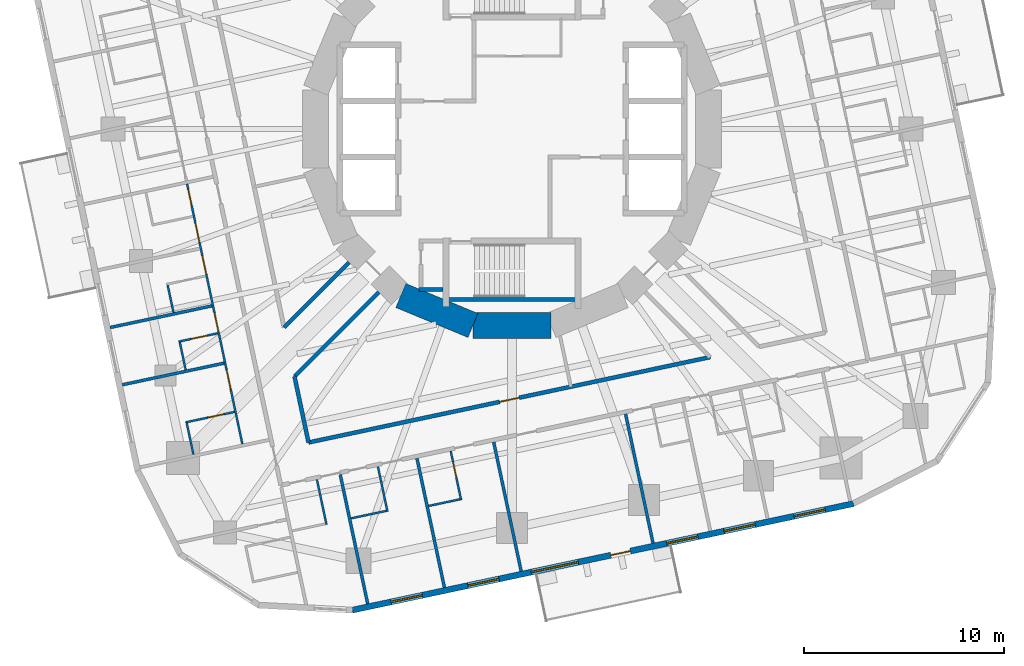
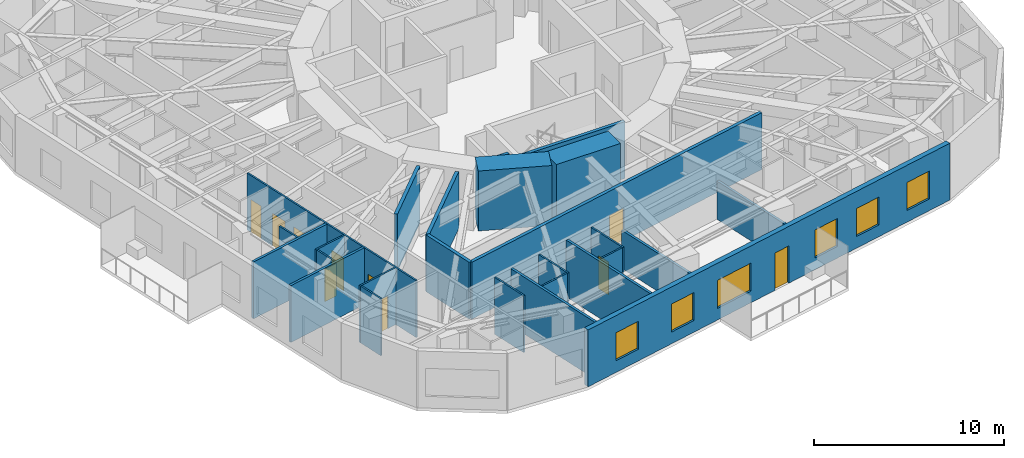
# One storey, part 4 of 13: 26 walls, 10 doors, 6 windows, 16 openings.
"""IFC4 building model written with IfcOpenShell, lengths in metres."""

from ifc_helpers import new_model, si_unit, direction, frame, frame_2d, origin, place, context, subcontext, project, spatial, rectangle, extrude, material, layer, layer_set, type_object, element, fill, save


model = new_model("IFC4")

# Units and contexts
model_context = context("Model", 3, precision=1e-05, world=origin(), true_north=direction((0.0, 1.0)))
body_context = subcontext(model_context, "Body", "Model", "MODEL_VIEW")
ifc_project = project(units=[si_unit("LENGTHUNIT", "METRE"), si_unit("AREAUNIT", "SQUARE_METRE"), si_unit("VOLUMEUNIT", "CUBIC_METRE"), si_unit("PLANEANGLEUNIT", "RADIAN"), si_unit("MASSUNIT", "GRAM", prefix="KILO")], contexts=[model_context])

# Site, building, storey
site_placement = place(None, origin())
site = spatial("IfcSite", under=ifc_project, at=site_placement, CompositionType="ELEMENT")
building_placement = place(site_placement, origin())
building = spatial("IfcBuilding", under=site, at=building_placement, Name="Nakasero Lantern House", CompositionType="ELEMENT")
storey_placement = place(building_placement, frame((0.0, 0.0, 131.949951171875)))
storey = spatial("IfcBuildingStorey", under=building, at=storey_placement, Name="L32", CompositionType="ELEMENT", Elevation=131.949951171875)

# Wall, openings, doors
ifc_material_1 = material(Name="Blockwork", Category="masonry")
ifc_layer_1 = layer(ifc_material_1, 0.10009765625)
ifc_layer_set_1 = layer_set([ifc_layer_1], Name="Cluster hall wall 100")
wall_type_1 = type_object("IfcWallType", Name="Cluster hall wall 100", PredefinedType="PARTITIONING", material=ifc_layer_set_1)
wall_1_placement = place(storey_placement, frame((-16.236328125, -2.734375, 0.0), z_axis=(0.0, 0.0, 1.0), x_axis=(0.207922912411, -0.978145215443, 0.0)))
wall_1 = element("IfcWall", 1, at=wall_1_placement, inside=storey, type_object=wall_type_1, Name="Cluster hall wall L32 HW2-1", PredefinedType="PARTITIONING", context=body_context, shape_type="SweptSolid", body=[
    extrude(rectangle(XDim=13.28955078125, YDim=0.10009765625, at=frame_2d((6.644775390625, 0.0))), origin(), (0.0, 0.0, 1.0), 3.650146484375),
])
opening_1_placement = place(wall_1_placement, frame((1.99365234375, 0.0, 0.0)))
opening_1 = element("IfcOpeningElement", 2, at=opening_1_placement, cuts=wall_1, Name="Opening D03", PredefinedType="OPENING", context=body_context, shape_type="SweptSolid", body=[
    extrude(rectangle(XDim=1.0, YDim=2.10009765625, at=frame_2d((0.5, 1.050048828125))), frame((0.0, 0.070068359375, 0.0), z_axis=(0.0, -1.0, 0.0), x_axis=(1.0, 0.0, 0.0)), (0.0, 0.0, 1.0), 0.14013671875),
])
opening_2_placement = place(wall_1_placement, frame((0.300048828125, 0.0, 0.0)))
opening_2 = element("IfcOpeningElement", 3, at=opening_2_placement, cuts=wall_1, Name="Opening D02", PredefinedType="OPENING", context=body_context, shape_type="SweptSolid", body=[
    extrude(rectangle(XDim=0.800048828125, YDim=2.10009765625, at=frame_2d((0.39990234375, 1.050048828125))), frame((0.0, 0.070068359375, 0.0), z_axis=(0.0, -1.0, 0.0), x_axis=(1.0, 0.0, 0.0)), (0.0, 0.0, 1.0), 0.14013671875),
])
opening_3_placement = place(wall_1_placement, frame((3.668701171875, 0.0, 0.0)))
opening_3 = element("IfcOpeningElement", 4, at=opening_3_placement, cuts=wall_1, Name="Opening D01", PredefinedType="OPENING", context=body_context, shape_type="SweptSolid", body=[
    extrude(rectangle(XDim=0.949951171875, YDim=2.10009765625, at=frame_2d((0.47509765625, 1.050048828125))), frame((0.0, 0.070068359375, 0.0), z_axis=(0.0, -1.0, 0.0), x_axis=(1.0, 0.0, 0.0)), (0.0, 0.0, 1.0), 0.14013671875),
])
opening_4_placement = place(wall_1_placement, frame((6.594970703125, 0.0, 0.0)))
opening_4 = element("IfcOpeningElement", 5, at=opening_4_placement, cuts=wall_1, Name="Opening D01", PredefinedType="OPENING", context=body_context, shape_type="SweptSolid", body=[
    extrude(rectangle(XDim=0.949951171875, YDim=2.10009765625, at=frame_2d((0.47509765625, 1.050048828125))), frame((0.0, 0.070068359375, 0.0), z_axis=(0.0, -1.0, 0.0), x_axis=(1.0, 0.0, 0.0)), (0.0, 0.0, 1.0), 0.14013671875),
])
opening_5_placement = place(wall_1_placement, frame((9.521484375, 0.0, 0.0)))
opening_5 = element("IfcOpeningElement", 6, at=opening_5_placement, cuts=wall_1, Name="Opening D01", PredefinedType="OPENING", context=body_context, shape_type="SweptSolid", body=[
    extrude(rectangle(XDim=0.949951171875, YDim=2.10009765625, at=frame_2d((0.47509765625, 1.050048828125))), frame((0.0, 0.070068359375, 0.0), z_axis=(0.0, -1.0, 0.0), x_axis=(1.0, 0.0, 0.0)), (0.0, 0.0, 1.0), 0.14013671875),
])
ifc_material_2 = material(Name="Timber C24", Category="wood")
door_type_1 = type_object("IfcDoorType", Name="Bedroom door FD30S 950", OperationType="SINGLE_SWING_LEFT", PredefinedType="DOOR", material=ifc_material_2)
door_1_placement = place(opening_3_placement, origin())
door_1 = element("IfcDoor", 7, at=door_1_placement, inside=storey, type_object=door_type_1, Name="Door L32 D2-05", OperationType="SINGLE_SWING_LEFT", OverallHeight=2.10009765625, OverallWidth=0.949951171875, PredefinedType="DOOR", context=body_context, shape_type="SweptSolid", body=[
    extrude(rectangle(XDim=0.949951171875, YDim=2.10009765625, at=frame_2d((0.47509765625, 1.050048828125))), frame((0.0, 0.02490234375, 0.0), z_axis=(0.0, -1.0, 0.0), x_axis=(1.0, 0.0, 0.0)), (0.0, 0.0, 1.0), 0.050048828125),
])
fill(opening_3, door_1)
door_2_placement = place(opening_4_placement, origin())
door_2 = element("IfcDoor", 8, at=door_2_placement, inside=storey, type_object=door_type_1, Name="Door L32 D2-06", OperationType="SINGLE_SWING_RIGHT", OverallHeight=2.10009765625, OverallWidth=0.949951171875, PredefinedType="DOOR", context=body_context, shape_type="SweptSolid", body=[
    extrude(rectangle(XDim=0.949951171875, YDim=2.10009765625, at=frame_2d((0.47509765625, 1.050048828125))), frame((0.0, 0.02490234375, 0.0), z_axis=(0.0, -1.0, 0.0), x_axis=(1.0, 0.0, 0.0)), (0.0, 0.0, 1.0), 0.050048828125),
])
fill(opening_4, door_2)
door_3_placement = place(opening_5_placement, origin())
door_3 = element("IfcDoor", 9, at=door_3_placement, inside=storey, type_object=door_type_1, Name="Door L32 D2-07", OperationType="SINGLE_SWING_RIGHT", OverallHeight=2.10009765625, OverallWidth=0.949951171875, PredefinedType="DOOR", context=body_context, shape_type="SweptSolid", body=[
    extrude(rectangle(XDim=0.949951171875, YDim=2.10009765625, at=frame_2d((0.47509765625, 1.050048828125))), frame((0.0, 0.02490234375, 0.0), z_axis=(0.0, -1.0, 0.0), x_axis=(1.0, 0.0, 0.0)), (0.0, 0.0, 1.0), 0.050048828125),
])
fill(opening_5, door_3)
ifc_material_3 = material(Name="Timber C24", Category="wood")
door_type_2 = type_object("IfcDoorType", Name="En-suite door 800", OperationType="SINGLE_SWING_RIGHT", PredefinedType="DOOR", material=ifc_material_3)
door_4_placement = place(opening_2_placement, origin())
door_4 = element("IfcDoor", 10, at=door_4_placement, inside=storey, type_object=door_type_2, Name="Door L32 DSH2-1", OperationType="SINGLE_SWING_LEFT", OverallHeight=2.10009765625, OverallWidth=0.800048828125, PredefinedType="DOOR", context=body_context, shape_type="SweptSolid", body=[
    extrude(rectangle(XDim=0.800048828125, YDim=2.10009765625, at=frame_2d((0.39990234375, 1.050048828125))), frame((0.0, 0.02490234375, 0.0), z_axis=(0.0, -1.0, 0.0), x_axis=(1.0, 0.0, 0.0)), (0.0, 0.0, 1.0), 0.050048828125),
])
fill(opening_2, door_4)
ifc_material_4 = material(Name="Timber C24", Category="wood")
door_type_3 = type_object("IfcDoorType", Name="Lounge door FD30S 1000", OperationType="SINGLE_SWING_LEFT", PredefinedType="DOOR", material=ifc_material_4)
door_5_placement = place(opening_1_placement, origin())
door_5 = element("IfcDoor", 11, at=door_5_placement, inside=storey, type_object=door_type_3, Name="Door L32 DH2-1", OperationType="SINGLE_SWING_LEFT", OverallHeight=2.10009765625, OverallWidth=1.0, PredefinedType="DOOR", context=body_context, shape_type="SweptSolid", body=[
    extrude(rectangle(XDim=1.0, YDim=2.10009765625, at=frame_2d((0.5, 1.050048828125))), frame((0.0, 0.02490234375, 0.0), z_axis=(0.0, -1.0, 0.0), x_axis=(1.0, 0.0, 0.0)), (0.0, 0.0, 1.0), 0.050048828125),
])
fill(opening_1, door_5)

# Walls
ifc_material_5 = material(Name="Concrete C50/60", Category="concrete")
ifc_layer_2 = layer(ifc_material_5, 1.300048828125)
ifc_layer_set_2 = layer_set([ifc_layer_2], Name="Core wall 1300")
wall_type_2 = type_object("IfcWallType", Name="Core wall 1300", PredefinedType="SHEAR", material=ifc_layer_set_2)
for number, where, z_axis, x_axis, name in (
    (12, (-5.5556640625, -8.314697265625, 0.0), (0.0, 0.0, 1.0), (0.923876507187, -0.382690736062, 0.0), "Core wall L32 facet 11"),
    (13, (-1.950927734375, -9.807861328125, 0.0), (0.0, 0.0, 1.0), (1.0, 0.0, 0.0), "Core wall L32 facet 12"),
):
    element("IfcWall", number, at=place(storey_placement, frame(where, z_axis=z_axis, x_axis=x_axis)), inside=storey, type_object=wall_type_2, Name=name, PredefinedType="SHEAR", context=body_context, shape_type="SweptSolid", body=[
        extrude(rectangle(XDim=3.90185546875, YDim=1.300048828125, at=frame_2d((1.950927734375, 0.0))), origin(), (0.0, 0.0, 1.0), 3.85009765625),
    ])
ifc_material_6 = material(Name="Blockwork", Category="masonry")
ifc_layer_3 = layer(ifc_material_6, 0.199951171875)
ifc_layer_set_3 = layer_set([ifc_layer_3], Name="Corridor wall 200")
wall_type_3 = type_object("IfcWallType", Name="Corridor wall 200", PredefinedType="PARTITIONING", material=ifc_layer_set_3)
wall_2_placement = place(storey_placement, frame((-10.868896484375, -12.35400390625, 0.0), z_axis=(0.0, 0.0, 1.0), x_axis=(0.207923627178, -0.978145063506, 0.0)))
element("IfcWall", 14, at=wall_2_placement, inside=storey, type_object=wall_type_3, Name="Corridor wall L32 IW2-1", PredefinedType="PARTITIONING", context=body_context, shape_type="SweptSolid", body=[
    extrude(rectangle(XDim=3.375732421875, YDim=0.199951171875, at=frame_2d((1.68798828125, 0.0))), origin(), (0.0, 0.0, 1.0), 3.650146484375),
])

# Wall, opening, door
wall_3_placement = place(storey_placement, frame((-10.1669921875, -15.656005859375, 0.0), z_axis=(0.0, 0.0, 1.0), x_axis=(0.978147903572, 0.207910266073, 0.0)))
wall_3 = element("IfcWall", 15, at=wall_3_placement, inside=storey, type_object=wall_type_3, Name="Corridor wall L32 IW3-0", PredefinedType="PARTITIONING", context=body_context, shape_type="SweptSolid", body=[
    extrude(rectangle(XDim=20.520263671875, YDim=0.199951171875, at=frame_2d((10.26025390625, 0.0))), origin(), (0.0, 0.0, 1.0), 3.650146484375),
])
opening_6_placement = place(wall_3_placement, frame((9.760009765625, 0.0, 0.0)))
opening_6 = element("IfcOpeningElement", 16, at=opening_6_placement, cuts=wall_3, Name="Opening D07", PredefinedType="OPENING", context=body_context, shape_type="SweptSolid", body=[
    extrude(rectangle(XDim=1.0, YDim=2.10009765625, at=frame_2d((0.5, 1.050048828125))), frame((0.0, 0.119873046875, 0.0), z_axis=(0.0, -1.0, 0.0), x_axis=(1.0, 0.0, 0.0)), (0.0, 0.0, 1.0), 0.239990234375),
])
ifc_material_7 = material(Name="Timber C24", Category="wood")
door_type_4 = type_object("IfcDoorType", Name="Room door FD30S 1000", OperationType="SINGLE_SWING_LEFT", PredefinedType="DOOR", material=ifc_material_7)
door_6_placement = place(opening_6_placement, origin())
door_6 = element("IfcDoor", 17, at=door_6_placement, inside=storey, type_object=door_type_4, Name="Door L32 DI1", OperationType="SINGLE_SWING_RIGHT", OverallHeight=2.10009765625, OverallWidth=1.0, PredefinedType="DOOR", context=body_context, shape_type="SweptSolid", body=[
    extrude(rectangle(XDim=1.0, YDim=2.10009765625, at=frame_2d((0.5, 1.050048828125))), frame((0.0, 0.02490234375, 0.0), z_axis=(0.0, -1.0, 0.0), x_axis=(1.0, 0.0, 0.0)), (0.0, 0.0, 1.0), 0.050048828125),
])
fill(opening_6, door_6)

# Walls
wall_4_placement = place(storey_placement, frame((-6.65234375, -8.13720703125, 0.0), z_axis=(0.0, 0.0, 1.0), x_axis=(-0.707086310555, -0.707127251225, 0.0)))
element("IfcWall", 18, at=wall_4_placement, inside=storey, type_object=wall_type_3, Name="Corridor wall L32 PS10a", PredefinedType="PARTITIONING", context=body_context, shape_type="SweptSolid", body=[
    extrude(rectangle(XDim=5.96337890625, YDim=0.199951171875, at=frame_2d((2.981689453125, 0.0))), origin(), (0.0, 0.0, 1.0), 3.650146484375),
])
wall_5_placement = place(storey_placement, frame((-8.13720703125, -6.65234375, 0.0), z_axis=(0.0, 0.0, 1.0), x_axis=(-0.707106781187, -0.707106781187, 0.0)))
element("IfcWall", 19, at=wall_5_placement, inside=storey, type_object=wall_type_3, Name="Corridor wall L32 PS10b", PredefinedType="PARTITIONING", context=body_context, shape_type="SweptSolid", body=[
    extrude(rectangle(XDim=4.599609375, YDim=0.199951171875, at=frame_2d((2.2998046875, 0.0))), origin(), (0.0, 0.0, 1.0), 3.650146484375),
])
ifc_material_8 = material(Name="Blockwork", Category="masonry")
ifc_layer_4 = layer(ifc_material_8, 0.10009765625)
ifc_layer_set_4 = layer_set([ifc_layer_4], Name="En-suite wall 100")
wall_type_4 = type_object("IfcWallType", Name="En-suite wall 100", PredefinedType="PARTITIONING", material=ifc_layer_set_4)
wall_6_placement = place(storey_placement, frame((-17.2060546875, -7.79150390625, 0.0), z_axis=(0.0, 0.0, 1.0), x_axis=(0.207873355681, -0.978155748334, 0.0)))
element("IfcWall", 20, at=wall_6_placement, inside=storey, type_object=wall_type_4, Name="En-suite wall L32 EE2-05", PredefinedType="PARTITIONING", context=body_context, shape_type="SweptSolid", body=[
    extrude(rectangle(XDim=1.39990234375, YDim=0.10009765625, at=frame_2d((0.699951171875, 0.0))), origin(), (0.0, 0.0, 1.0), 3.650146484375),
])

# Wall, opening, door
wall_7_placement = place(storey_placement, frame((-14.70068359375, -10.19970703125, 0.0), z_axis=(0.0, 0.0, 1.0), x_axis=(-0.978152955943, -0.207886494942, 0.0)))
wall_7 = element("IfcWall", 21, at=wall_7_placement, inside=storey, type_object=wall_type_4, Name="En-suite wall L32 ES2-06", PredefinedType="PARTITIONING", context=body_context, shape_type="SweptSolid", body=[
    extrude(rectangle(XDim=2.0, YDim=0.10009765625, at=frame_2d((1.0, 0.0))), origin(), (0.0, 0.0, 1.0), 3.650146484375),
])
opening_7_placement = place(wall_7_placement, frame((0.550048828125, 0.0, 0.0)))
opening_7 = element("IfcOpeningElement", 22, at=opening_7_placement, cuts=wall_7, Name="Opening D02", PredefinedType="OPENING", context=body_context, shape_type="SweptSolid", body=[
    extrude(rectangle(XDim=0.800048828125, YDim=2.10009765625, at=frame_2d((0.39990234375, 1.050048828125))), frame((0.0, 0.070068359375, 0.0), z_axis=(0.0, -1.0, 0.0), x_axis=(1.0, 0.0, 0.0)), (0.0, 0.0, 1.0), 0.14013671875),
])
door_7_placement = place(opening_7_placement, origin())
door_7 = element("IfcDoor", 23, at=door_7_placement, inside=storey, type_object=door_type_2, Name="Door L32 DE2-06", OperationType="SINGLE_SWING_LEFT", OverallHeight=2.10009765625, OverallWidth=0.800048828125, PredefinedType="DOOR", context=body_context, shape_type="SweptSolid", body=[
    extrude(rectangle(XDim=0.800048828125, YDim=2.10009765625, at=frame_2d((0.39990234375, 1.050048828125))), frame((0.0, 0.02490234375, 0.0), z_axis=(0.0, -1.0, 0.0), x_axis=(1.0, 0.0, 0.0)), (0.0, 0.0, 1.0), 0.050048828125),
])
fill(opening_7, door_7)

# Wall
wall_8_placement = place(storey_placement, frame((-16.59765625, -10.654052734375, 0.0), z_axis=(0.0, 0.0, 1.0), x_axis=(0.207873355681, -0.978155748334, 0.0)))
element("IfcWall", 24, at=wall_8_placement, inside=storey, type_object=wall_type_4, Name="En-suite wall L32 EE2-06", PredefinedType="PARTITIONING", context=body_context, shape_type="SweptSolid", body=[
    extrude(rectangle(XDim=1.39990234375, YDim=0.10009765625, at=frame_2d((0.699951171875, 0.0))), origin(), (0.0, 0.0, 1.0), 3.650146484375),
])

# Wall, opening, door
wall_9_placement = place(storey_placement, frame((-13.865234375, -14.1298828125, 0.0), z_axis=(0.0, 0.0, 1.0), x_axis=(-0.978146935828, -0.207914818928, 0.0)))
wall_9 = element("IfcWall", 25, at=wall_9_placement, inside=storey, type_object=wall_type_4, Name="En-suite wall L32 ES2-07", PredefinedType="PARTITIONING", context=body_context, shape_type="SweptSolid", body=[
    extrude(rectangle(XDim=2.5, YDim=0.10009765625, at=frame_2d((1.25, 0.0))), origin(), (0.0, 0.0, 1.0), 3.650146484375),
])
opening_8_placement = place(wall_9_placement, frame((0.550048828125, 0.0, 0.0)))
opening_8 = element("IfcOpeningElement", 26, at=opening_8_placement, cuts=wall_9, Name="Opening D02", PredefinedType="OPENING", context=body_context, shape_type="SweptSolid", body=[
    extrude(rectangle(XDim=0.800048828125, YDim=2.10009765625, at=frame_2d((0.39990234375, 1.050048828125))), frame((0.0, 0.070068359375, 0.0), z_axis=(0.0, -1.0, 0.0), x_axis=(1.0, 0.0, 0.0)), (0.0, 0.0, 1.0), 0.14013671875),
])
door_8_placement = place(opening_8_placement, origin())
door_8 = element("IfcDoor", 27, at=door_8_placement, inside=storey, type_object=door_type_2, Name="Door L32 DE2-07", OperationType="SINGLE_SWING_LEFT", OverallHeight=2.10009765625, OverallWidth=0.800048828125, PredefinedType="DOOR", context=body_context, shape_type="SweptSolid", body=[
    extrude(rectangle(XDim=0.800048828125, YDim=2.10009765625, at=frame_2d((0.39990234375, 1.050048828125))), frame((0.0, 0.02490234375, 0.0), z_axis=(0.0, -1.0, 0.0), x_axis=(1.0, 0.0, 0.0)), (0.0, 0.0, 1.0), 0.050048828125),
])
fill(opening_8, door_8)

# Walls
wall_10_placement = place(storey_placement, frame((-16.251220703125, -14.688232421875, 0.0), z_axis=(0.0, 0.0, 1.0), x_axis=(0.207840504985, -0.978162729042, 0.0)))
element("IfcWall", 28, at=wall_10_placement, inside=storey, type_object=wall_type_4, Name="En-suite wall L32 EE2-07", PredefinedType="PARTITIONING", context=body_context, shape_type="SweptSolid", body=[
    extrude(rectangle(XDim=1.599853515625, YDim=0.10009765625, at=frame_2d((0.7998046875, 0.0))), origin(), (0.0, 0.0, 1.0), 3.650146484375),
])
for number, where, z_axis, x_axis, name in (
    (29, (-9.74755859375, -17.50927734375, 0.0), (0.0, 0.0, 1.0), (0.207839712757, -0.978162897375, 0.0), "En-suite wall L32 ES3-00"),
    (30, (-6.69970703125, -16.861328125, 0.0), (0.0, 0.0, 1.0), (0.207941273027, -0.978141312374, 0.0), "En-suite wall L32 ES3-01"),
):
    element("IfcWall", number, at=place(storey_placement, frame(where, z_axis=z_axis, x_axis=x_axis)), inside=storey, type_object=wall_type_4, Name=name, PredefinedType="PARTITIONING", context=body_context, shape_type="SweptSolid", body=[
        extrude(rectangle(XDim=2.300048828125, YDim=0.10009765625, at=frame_2d((1.14990234375, 0.0))), origin(), (0.0, 0.0, 1.0), 3.650146484375),
    ])
wall_11_placement = place(storey_placement, frame((-8.041259765625, -19.44677734375, 0.0), z_axis=(0.0, 0.0, 1.0), x_axis=(0.978140575842, 0.207944737591, 0.0)))
element("IfcWall", 31, at=wall_11_placement, inside=storey, type_object=wall_type_4, Name="En-suite wall L32 EE3-01", PredefinedType="PARTITIONING", context=body_context, shape_type="SweptSolid", body=[
    extrude(rectangle(XDim=1.7998046875, YDim=0.10009765625, at=frame_2d((0.89990234375, 0.0))), origin(), (0.0, 0.0, 1.0), 3.650146484375),
])

# Wall, opening, door
wall_12_placement = place(storey_placement, frame((-3.061279296875, -16.088134765625, 0.0), z_axis=(0.0, 0.0, 1.0), x_axis=(0.207914818928, -0.978146935828, 0.0)))
wall_12 = element("IfcWall", 32, at=wall_12_placement, inside=storey, type_object=wall_type_4, Name="En-suite wall L32 ES3-02", PredefinedType="PARTITIONING", context=body_context, shape_type="SweptSolid", body=[
    extrude(rectangle(XDim=2.5, YDim=0.10009765625, at=frame_2d((1.25, 0.0))), origin(), (0.0, 0.0, 1.0), 3.650146484375),
])
opening_9_placement = place(wall_12_placement, frame((0.550048828125, 0.0, 0.0)))
opening_9 = element("IfcOpeningElement", 33, at=opening_9_placement, cuts=wall_12, Name="Opening D02", PredefinedType="OPENING", context=body_context, shape_type="SweptSolid", body=[
    extrude(rectangle(XDim=0.800048828125, YDim=2.10009765625, at=frame_2d((0.39990234375, 1.050048828125))), frame((0.0, 0.070068359375, 0.0), z_axis=(0.0, -1.0, 0.0), x_axis=(1.0, 0.0, 0.0)), (0.0, 0.0, 1.0), 0.14013671875),
])
door_9_placement = place(opening_9_placement, origin())
door_9 = element("IfcDoor", 34, at=door_9_placement, inside=storey, type_object=door_type_2, Name="Door L32 DE3-02", OperationType="SINGLE_SWING_LEFT", OverallHeight=2.10009765625, OverallWidth=0.800048828125, PredefinedType="DOOR", context=body_context, shape_type="SweptSolid", body=[
    extrude(rectangle(XDim=0.800048828125, YDim=2.10009765625, at=frame_2d((0.39990234375, 1.050048828125))), frame((0.0, 0.02490234375, 0.0), z_axis=(0.0, -1.0, 0.0), x_axis=(1.0, 0.0, 0.0)), (0.0, 0.0, 1.0), 0.050048828125),
])
fill(opening_9, door_9)

# Wall
wall_13_placement = place(storey_placement, frame((-4.166015625, -18.82763671875, 0.0), z_axis=(0.0, 0.0, 1.0), x_axis=(0.978138294895, 0.207955466533, 0.0)))
element("IfcWall", 35, at=wall_13_placement, inside=storey, type_object=wall_type_4, Name="En-suite wall L32 EE3-02", PredefinedType="PARTITIONING", context=body_context, shape_type="SweptSolid", body=[
    extrude(rectangle(XDim=1.60009765625, YDim=0.10009765625, at=frame_2d((0.800048828125, 0.0))), origin(), (0.0, 0.0, 1.0), 3.650146484375),
])

# Wall, openings, door, windows
ifc_material_9 = material(Name="Aluminium rainscreen on blockwork", Category="masonry")
ifc_layer_5 = layer(ifc_material_9, 0.300048828125)
ifc_layer_set_5 = layer_set([ifc_layer_5], Name="Facade wall 300")
wall_type_5 = type_object("IfcWallType", Name="Facade wall 300", PredefinedType="SOLIDWALL", material=ifc_layer_set_5)
wall_14_placement = place(storey_placement, frame((-7.9775390625, -24.03369140625, 0.0), z_axis=(0.0, 0.0, 1.0), x_axis=(0.978148160964, 0.207909055127, 0.0)))
wall_14 = element("IfcWall", 36, at=wall_14_placement, inside=storey, type_object=wall_type_5, Name="Facade wall L32 FW3S", PredefinedType="SOLIDWALL", context=body_context, shape_type="SweptSolid", body=[
    extrude(rectangle(XDim=25.60009765625, YDim=0.300048828125, at=frame_2d((12.800048828125, 0.0))), origin(), (0.0, 0.0, 1.0), 3.650146484375),
])
opening_10_placement = place(wall_14_placement, frame((1.975830078125, 0.0, 0.75)))
opening_10 = element("IfcOpeningElement", 37, at=opening_10_placement, cuts=wall_14, Name="Opening W01", PredefinedType="OPENING", context=body_context, shape_type="SweptSolid", body=[
    extrude(rectangle(XDim=1.60009765625, YDim=1.800048828125, at=frame_2d((0.800048828125, 0.89990234375))), frame((0.0, 0.169921875, 0.0), z_axis=(0.0, -1.0, 0.0), x_axis=(1.0, 0.0, 0.0)), (0.0, 0.0, 1.0), 0.340087890625),
])
opening_11_placement = place(wall_14_placement, frame((5.8955078125, 0.0, 0.75)))
opening_11 = element("IfcOpeningElement", 38, at=opening_11_placement, cuts=wall_14, Name="Opening W01", PredefinedType="OPENING", context=body_context, shape_type="SweptSolid", body=[
    extrude(rectangle(XDim=1.60009765625, YDim=1.800048828125, at=frame_2d((0.800048828125, 0.89990234375))), frame((0.0, 0.169921875, 0.0), z_axis=(0.0, -1.0, 0.0), x_axis=(1.0, 0.0, 0.0)), (0.0, 0.0, 1.0), 0.340087890625),
])
opening_12_placement = place(wall_14_placement, frame((16.0556640625, 0.0, 0.75)))
opening_12 = element("IfcOpeningElement", 39, at=opening_12_placement, cuts=wall_14, Name="Opening W01", PredefinedType="OPENING", context=body_context, shape_type="SweptSolid", body=[
    extrude(rectangle(XDim=1.60009765625, YDim=1.800048828125, at=frame_2d((0.800048828125, 0.89990234375))), frame((0.0, 0.169921875, 0.0), z_axis=(0.0, -1.0, 0.0), x_axis=(1.0, 0.0, 0.0)), (0.0, 0.0, 1.0), 0.340087890625),
])
opening_13_placement = place(wall_14_placement, frame((18.982177734375, 0.0, 0.75)))
opening_13 = element("IfcOpeningElement", 40, at=opening_13_placement, cuts=wall_14, Name="Opening W01", PredefinedType="OPENING", context=body_context, shape_type="SweptSolid", body=[
    extrude(rectangle(XDim=1.60009765625, YDim=1.800048828125, at=frame_2d((0.800048828125, 0.89990234375))), frame((0.0, 0.169921875, 0.0), z_axis=(0.0, -1.0, 0.0), x_axis=(1.0, 0.0, 0.0)), (0.0, 0.0, 1.0), 0.340087890625),
])
opening_14_placement = place(wall_14_placement, frame((22.554443359375, 0.0, 0.75)))
opening_14 = element("IfcOpeningElement", 41, at=opening_14_placement, cuts=wall_14, Name="Opening W01", PredefinedType="OPENING", context=body_context, shape_type="SweptSolid", body=[
    extrude(rectangle(XDim=1.60009765625, YDim=1.800048828125, at=frame_2d((0.800048828125, 0.89990234375))), frame((0.0, 0.169921875, 0.0), z_axis=(0.0, -1.0, 0.0), x_axis=(1.0, 0.0, 0.0)), (0.0, 0.0, 1.0), 0.340087890625),
])
opening_15_placement = place(wall_14_placement, frame((9.139404296875, 0.0, 0.75)))
opening_15 = element("IfcOpeningElement", 42, at=opening_15_placement, cuts=wall_14, Name="Opening W03", PredefinedType="OPENING", context=body_context, shape_type="SweptSolid", body=[
    extrude(rectangle(XDim=2.39990234375, YDim=1.800048828125, at=frame_2d((1.199951171875, 0.89990234375))), frame((0.0, 0.169921875, 0.0), z_axis=(0.0, -1.0, 0.0), x_axis=(1.0, 0.0, 0.0)), (0.0, 0.0, 1.0), 0.340087890625),
])
opening_16_placement = place(wall_14_placement, frame((13.208251953125, 0.0, 0.0)))
opening_16 = element("IfcOpeningElement", 43, at=opening_16_placement, cuts=wall_14, Name="Opening D04", PredefinedType="OPENING", context=body_context, shape_type="SweptSolid", body=[
    extrude(rectangle(XDim=1.0, YDim=2.39990234375, at=frame_2d((0.5, 1.199951171875))), frame((0.0, 0.169921875, 0.0), z_axis=(0.0, -1.0, 0.0), x_axis=(1.0, 0.0, 0.0)), (0.0, 0.0, 1.0), 0.340087890625),
])
ifc_material_10 = material(Name="Aluminium 6063-T6 and glass", Category="aluminium")
door_type_5 = type_object("IfcDoorType", Name="Balcony door 1000x2400", OperationType="SINGLE_SWING_RIGHT", PredefinedType="DOOR", material=ifc_material_10)
door_10_placement = place(opening_16_placement, origin())
door_10 = element("IfcDoor", 44, at=door_10_placement, inside=storey, type_object=door_type_5, Name="Balcony door L32 DB3", OperationType="SINGLE_SWING_RIGHT", OverallHeight=2.39990234375, OverallWidth=1.0, PredefinedType="DOOR", context=body_context, shape_type="SweptSolid", body=[
    extrude(rectangle(XDim=1.0, YDim=2.39990234375, at=frame_2d((0.5, 1.199951171875))), frame((0.0, 0.02490234375, 0.0), z_axis=(0.0, -1.0, 0.0), x_axis=(1.0, 0.0, 0.0)), (0.0, 0.0, 1.0), 0.050048828125),
])
fill(opening_16, door_10)
ifc_material_11 = material(Name="Aluminium 6063-T6 and glass", Category="aluminium")
window_type_1 = type_object("IfcWindowType", Name="Bedroom window 1600x1800", PartitioningType="SINGLE_PANEL", PredefinedType="WINDOW", material=ifc_material_11)
window_1_placement = place(opening_10_placement, origin())
window_1 = element("IfcWindow", 45, at=window_1_placement, inside=storey, type_object=window_type_1, Name="Window L32 WN3-01", OverallHeight=1.800048828125, OverallWidth=1.60009765625, PartitioningType="SINGLE_PANEL", PredefinedType="WINDOW", context=body_context, shape_type="SweptSolid", body=[
    extrude(rectangle(XDim=1.60009765625, YDim=1.800048828125, at=frame_2d((0.800048828125, 0.89990234375))), frame((0.0, 0.030029296875, 0.0), z_axis=(0.0, -1.0, 0.0), x_axis=(1.0, 0.0, 0.0)), (0.0, 0.0, 1.0), 0.06005859375),
])
fill(opening_10, window_1)
window_2_placement = place(opening_11_placement, origin())
window_2 = element("IfcWindow", 46, at=window_2_placement, inside=storey, type_object=window_type_1, Name="Window L32 WN3-02", OverallHeight=1.800048828125, OverallWidth=1.60009765625, PartitioningType="SINGLE_PANEL", PredefinedType="WINDOW", context=body_context, shape_type="SweptSolid", body=[
    extrude(rectangle(XDim=1.60009765625, YDim=1.800048828125, at=frame_2d((0.800048828125, 0.89990234375))), frame((0.0, 0.030029296875, 0.0), z_axis=(0.0, -1.0, 0.0), x_axis=(1.0, 0.0, 0.0)), (0.0, 0.0, 1.0), 0.06005859375),
])
fill(opening_11, window_2)
window_3_placement = place(opening_12_placement, origin())
window_3 = element("IfcWindow", 47, at=window_3_placement, inside=storey, type_object=window_type_1, Name="Window L32 WN3-05", OverallHeight=1.800048828125, OverallWidth=1.60009765625, PartitioningType="SINGLE_PANEL", PredefinedType="WINDOW", context=body_context, shape_type="SweptSolid", body=[
    extrude(rectangle(XDim=1.60009765625, YDim=1.800048828125, at=frame_2d((0.800048828125, 0.89990234375))), frame((0.0, 0.030029296875, 0.0), z_axis=(0.0, -1.0, 0.0), x_axis=(1.0, 0.0, 0.0)), (0.0, 0.0, 1.0), 0.06005859375),
])
fill(opening_12, window_3)
window_4_placement = place(opening_13_placement, origin())
window_4 = element("IfcWindow", 48, at=window_4_placement, inside=storey, type_object=window_type_1, Name="Window L32 WN3-06", OverallHeight=1.800048828125, OverallWidth=1.60009765625, PartitioningType="SINGLE_PANEL", PredefinedType="WINDOW", context=body_context, shape_type="SweptSolid", body=[
    extrude(rectangle(XDim=1.60009765625, YDim=1.800048828125, at=frame_2d((0.800048828125, 0.89990234375))), frame((0.0, 0.030029296875, 0.0), z_axis=(0.0, -1.0, 0.0), x_axis=(1.0, 0.0, 0.0)), (0.0, 0.0, 1.0), 0.06005859375),
])
fill(opening_13, window_4)
window_5_placement = place(opening_14_placement, origin())
window_5 = element("IfcWindow", 49, at=window_5_placement, inside=storey, type_object=window_type_1, Name="Window L32 WN3-07", OverallHeight=1.800048828125, OverallWidth=1.60009765625, PartitioningType="SINGLE_PANEL", PredefinedType="WINDOW", context=body_context, shape_type="SweptSolid", body=[
    extrude(rectangle(XDim=1.60009765625, YDim=1.800048828125, at=frame_2d((0.800048828125, 0.89990234375))), frame((0.0, 0.030029296875, 0.0), z_axis=(0.0, -1.0, 0.0), x_axis=(1.0, 0.0, 0.0)), (0.0, 0.0, 1.0), 0.06005859375),
])
fill(opening_14, window_5)
ifc_material_12 = material(Name="Aluminium 6063-T6 and glass", Category="aluminium")
window_type_2 = type_object("IfcWindowType", Name="Lounge window 2400x1800", PartitioningType="SINGLE_PANEL", PredefinedType="WINDOW", material=ifc_material_12)
window_6_placement = place(opening_15_placement, origin())
window_6 = element("IfcWindow", 50, at=window_6_placement, inside=storey, type_object=window_type_2, Name="Window L32 WK3", OverallHeight=1.800048828125, OverallWidth=2.39990234375, PartitioningType="SINGLE_PANEL", PredefinedType="WINDOW", context=body_context, shape_type="SweptSolid", body=[
    extrude(rectangle(XDim=2.39990234375, YDim=1.800048828125, at=frame_2d((1.199951171875, 0.89990234375))), frame((0.0, 0.030029296875, 0.0), z_axis=(0.0, -1.0, 0.0), x_axis=(1.0, 0.0, 0.0)), (0.0, 0.0, 1.0), 0.06005859375),
])
fill(opening_15, window_6)

# Walls
ifc_material_13 = material(Name="Blockwork", Category="masonry")
ifc_layer_6 = layer(ifc_material_13, 0.199951171875)
ifc_layer_set_6 = layer_set([ifc_layer_6], Name="Fire lobby wall 200")
wall_type_6 = type_object("IfcWallType", Name="Fire lobby wall 200", PredefinedType="PARTITIONING", material=ifc_layer_set_6)
wall_15_placement = place(storey_placement, frame((-3.449951171875, -8.0, 0.0), z_axis=(0.0, 0.0, 1.0), x_axis=(-1.0, 0.0, 0.0)))
element("IfcWall", 51, at=wall_15_placement, inside=storey, type_object=wall_type_6, Name="Fire lobby wall L32 W-RS2S", PredefinedType="PARTITIONING", context=body_context, shape_type="SweptSolid", body=[
    extrude(rectangle(XDim=1.199951171875, YDim=0.199951171875, at=frame_2d((0.60009765625, 0.0))), origin(), (0.0, 0.0, 1.0), 3.650146484375),
])
wall_16_placement = place(storey_placement, frame((-3.300048828125, -8.5, 0.0), z_axis=(0.0, 0.0, 1.0), x_axis=(1.0, 0.0, 0.0)))
element("IfcWall", 52, at=wall_16_placement, inside=storey, type_object=wall_type_6, Name="Fire lobby wall L32 W-STS", PredefinedType="PARTITIONING", context=body_context, shape_type="SweptSolid", body=[
    extrude(rectangle(XDim=6.60009765625, YDim=0.199951171875, at=frame_2d((3.300048828125, 0.0))), origin(), (0.0, 0.0, 1.0), 3.650146484375),
])
ifc_material_14 = material(Name="Blockwork", Category="masonry")
ifc_layer_7 = layer(ifc_material_14, 0.14990234375)
ifc_layer_set_7 = layer_set([ifc_layer_7], Name="Party wall 150")
wall_type_7 = type_object("IfcWallType", Name="Party wall 150", PredefinedType="PARTITIONING", material=ifc_layer_set_7)
for number, where, z_axis, x_axis, name in (
    (53, (-14.991943359375, -8.828857421875, 0.0), (0.0, 0.0, 1.0), (-0.978151452323, -0.207893569688, 0.0), "Party wall L32 PW2-06"),
    (54, (-14.383544921875, -11.69140625, 0.0), (0.0, 0.0, 1.0), (-0.978151452323, -0.207893569688, 0.0), "Party wall L32 PW2-07"),
):
    element("IfcWall", number, at=place(storey_placement, frame(where, z_axis=z_axis, x_axis=x_axis)), inside=storey, type_object=wall_type_7, Name=name, PredefinedType="PARTITIONING", context=body_context, shape_type="SweptSolid", body=[
        extrude(rectangle(XDim=5.199951171875, YDim=0.14990234375, at=frame_2d((2.60009765625, 0.0))), origin(), (0.0, 0.0, 1.0), 3.650146484375),
    ])
wall_17_placement = place(storey_placement, frame((-8.58251953125, -17.26171875, 0.0), z_axis=(0.0, 0.0, 1.0), x_axis=(0.207932197326, -0.978143241716, 0.0)))
element("IfcWall", 55, at=wall_17_placement, inside=storey, type_object=wall_type_7, Name="Party wall L32 PW3-01", PredefinedType="PARTITIONING", context=body_context, shape_type="SweptSolid", body=[
    extrude(rectangle(XDim=6.599853515625, YDim=0.14990234375, at=frame_2d((3.2998046875, 0.0))), origin(), (0.0, 0.0, 1.0), 3.650146484375),
])
wall_18_placement = place(storey_placement, frame((-4.748779296875, -16.44677734375, 0.0), z_axis=(0.0, 0.0, 1.0), x_axis=(0.207924673876, -0.978144841009, 0.0)))
element("IfcWall", 56, at=wall_18_placement, inside=storey, type_object=wall_type_7, Name="Party wall L32 PW3-02", PredefinedType="PARTITIONING", context=body_context, shape_type="SweptSolid", body=[
    extrude(rectangle(XDim=6.60009765625, YDim=0.14990234375, at=frame_2d((3.300048828125, 0.0))), origin(), (0.0, 0.0, 1.0), 3.650146484375),
])
for number, where, z_axis, x_axis, name in (
    (57, (-0.914794921875, -15.6318359375, 0.0), (0.0, 0.0, 1.0), (0.207924673876, -0.978144841009, 0.0), "Party wall L32 PW3-03"),
    (58, (5.67529296875, -14.23095703125, 0.0), (0.0, 0.0, 1.0), (0.207924673876, -0.978144841009, 0.0), "Party wall L32 PW3-05"),
):
    element("IfcWall", number, at=place(storey_placement, frame(where, z_axis=z_axis, x_axis=x_axis)), inside=storey, type_object=wall_type_7, Name=name, PredefinedType="PARTITIONING", context=body_context, shape_type="SweptSolid", body=[
        extrude(rectangle(XDim=6.60009765625, YDim=0.14990234375, at=frame_2d((3.300048828125, 0.0))), origin(), (0.0, 0.0, 1.0), 2.449951171875),
    ])

save(model, "model.ifc")
